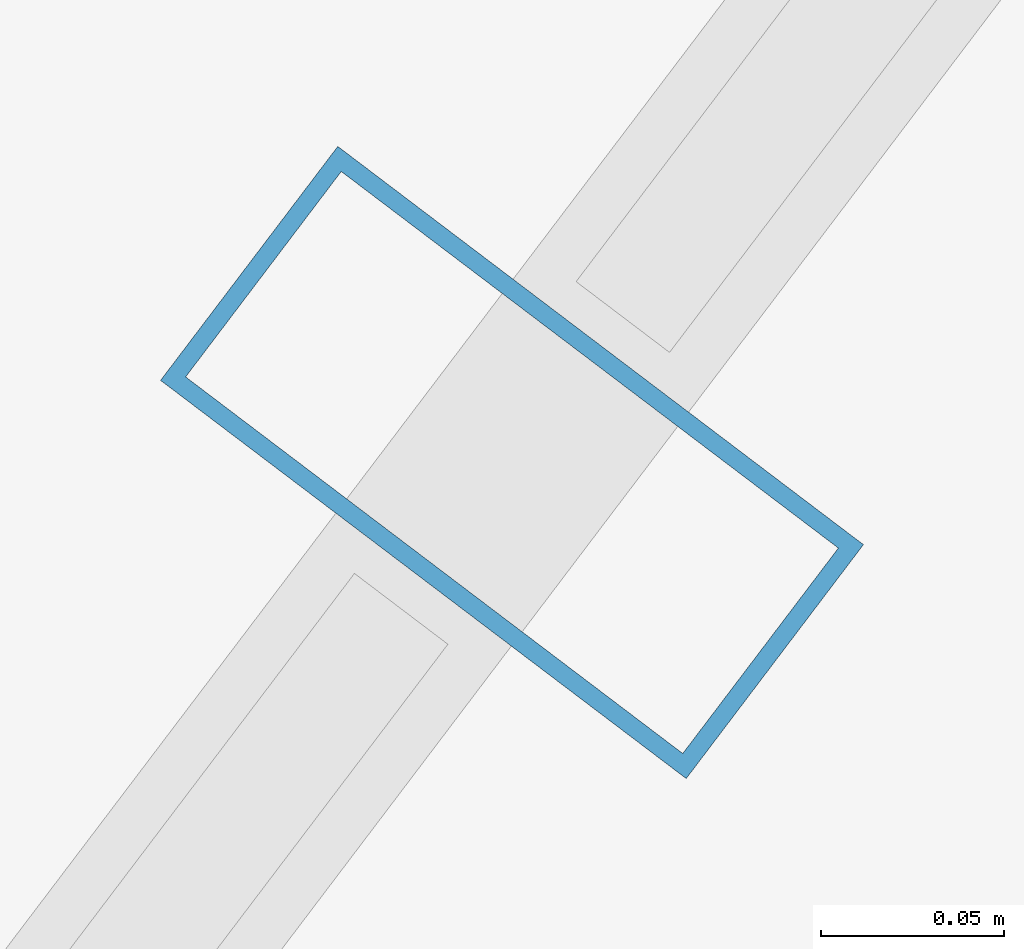
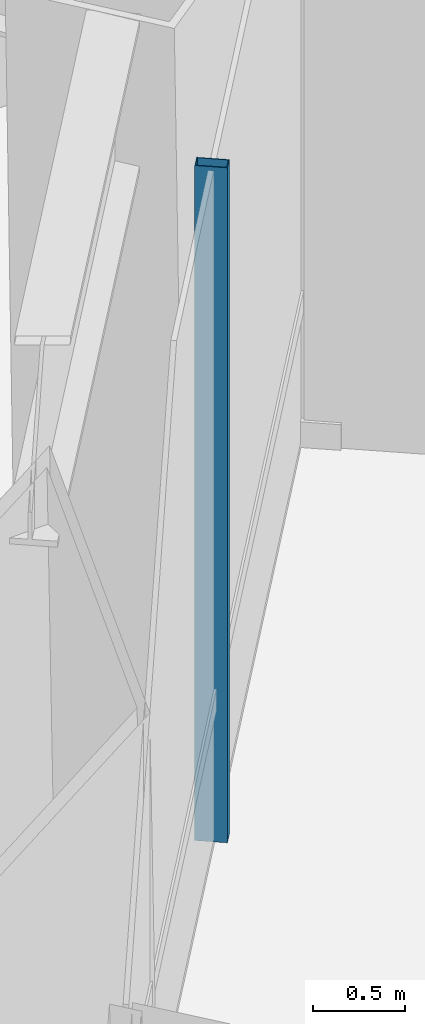
# One storey, part 10 of 30: 1 member, 1 element without a shape of its own.
"""IFC4 building model written with IfcOpenShell, lengths in metres."""

from ifc_helpers import new_model, si_unit, direction, frame, origin, origin_2d, place, context, subcontext, project, spatial, hollow_rectangle, extrude, material, layer, layer_set, material_profile, profile_set, type_object, element, aggregate, save


model = new_model("IFC4")

# Units and contexts
model_context = context("Model", 3, precision=1e-05, world=origin(), true_north=direction((0.0, 1.0)))
body_context = subcontext(model_context, "Body", "Model", "MODEL_VIEW")
ifc_project = project(units=[si_unit("LENGTHUNIT", "METRE"), si_unit("AREAUNIT", "SQUARE_METRE"), si_unit("VOLUMEUNIT", "CUBIC_METRE"), si_unit("PLANEANGLEUNIT", "RADIAN"), si_unit("MASSUNIT", "GRAM", prefix="KILO")], contexts=[model_context])

# Site, building, storey
site_placement = place(None, origin())
site = spatial("IfcSite", under=ifc_project, at=site_placement, CompositionType="ELEMENT")
building_placement = place(site_placement, origin())
building = spatial("IfcBuilding", under=site, at=building_placement, Name="Zarrinselat Tower", CompositionType="ELEMENT")
storey_placement = place(building_placement, frame((0.0, 0.0, 22.780029296875)))
storey = spatial("IfcBuildingStorey", under=building, at=storey_placement, Name="L05", CompositionType="ELEMENT", Elevation=22.780029296875)

# Curtain wall, member
ifc_material_1 = material(Name="Extruded Aluminium Alloy EN AW-6063 T6", Category="aluminium")
ifc_layer = layer(ifc_material_1, 0.195068359375)
ifc_layer_set = layer_set([ifc_layer], Name="Extruded Aluminium Alloy EN AW-6063 T6")
curtain_wall_type = type_object("IfcCurtainWallType", Name="CWS-GDN", PredefinedType="NOTDEFINED", material=ifc_layer_set)
curtain_wall_placement = place(storey_placement, origin())
curtain_wall = element("IfcCurtainWall", 1, at=curtain_wall_placement, inside=storey, type_object=curtain_wall_type, Name="L05 Unitised Curtain Wall CW-L05-E05", PredefinedType="NOTDEFINED")
ifc_material_2 = material(Name="Extruded Aluminium Alloy EN AW-6063 T6", Category="aluminium")
ifc_material_profile = material_profile(ifc_material_2, hollow_rectangle(XDim=0.080078125, YDim=0.179931640625, WallThickness=0.0048828125, at=origin_2d()), Name="RHS 180x80x5")
ifc_profile_set = profile_set([ifc_material_profile], Name="Extruded Aluminium Alloy EN AW-6063 T6")
member_type = type_object("IfcMemberType", Name="MEM-CW-MUL", PredefinedType="MULLION", material=ifc_profile_set)
member_placement = place(storey_placement, frame((54.570068359375, 25.344482421875, 0.0), z_axis=(0.0, 0.0, 1.0), x_axis=(0.603857687995, 0.797092148154, 0.0)))
member = element("IfcMember", 2, at=member_placement, type_object=member_type, Name="CW-L05-E05 Mullion 2", PredefinedType="MULLION", context=body_context, shape_type="SweptSolid", body=[
    extrude(hollow_rectangle(XDim=0.080078125, YDim=0.179931640625, WallThickness=0.0048828125, at=origin_2d()), origin(), (0.0, 0.0, 1.0), 4.5),
])
aggregate(curtain_wall, [member])

save(model, "model.ifc")
